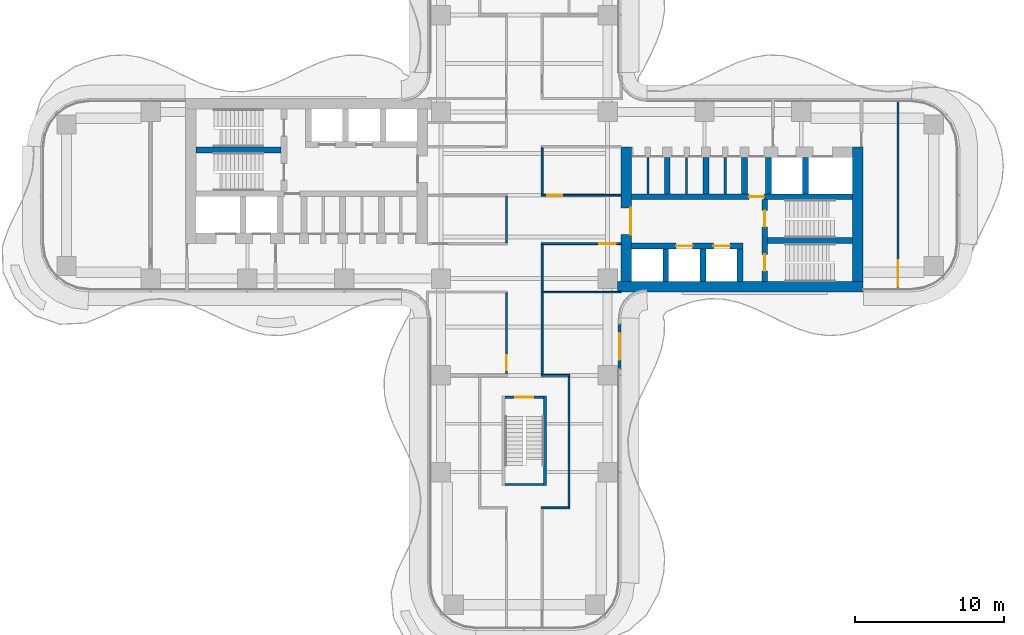
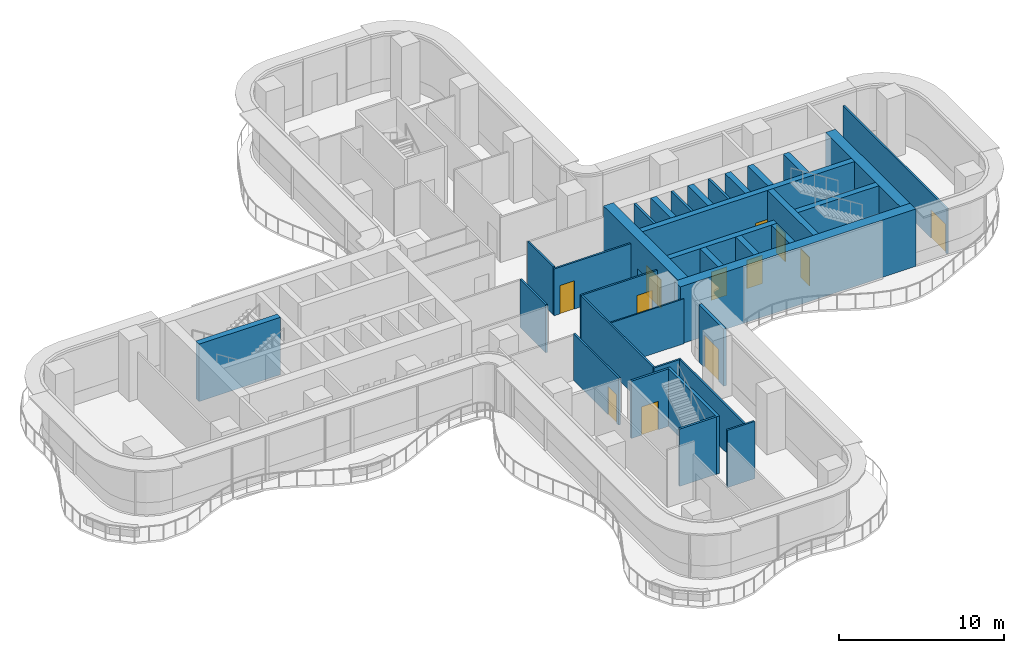
# One storey, part 19 of 23: 34 walls, 12 doors, 12 openings.
"""IFC4 building model written with IfcOpenShell, lengths in metres."""

from ifc_helpers import new_model, si_unit, direction, frame, frame_2d, origin, place, context, subcontext, project, spatial, rectangle, extrude, source, transform, mapped, material, layer, layer_set, type_object, element, fill, save


model = new_model("IFC4")

# Units and contexts
model_context = context("Model", 3, precision=1e-05, world=origin(), true_north=direction((0.0, 1.0)))
body_context = subcontext(model_context, "Body", "Model", "MODEL_VIEW")
ifc_project = project(units=[si_unit("LENGTHUNIT", "METRE"), si_unit("AREAUNIT", "SQUARE_METRE"), si_unit("VOLUMEUNIT", "CUBIC_METRE"), si_unit("PLANEANGLEUNIT", "RADIAN"), si_unit("MASSUNIT", "GRAM", prefix="KILO")], contexts=[model_context])

# Site, building, storey
site_placement = place(None, origin())
site = spatial("IfcSite", under=ifc_project, at=site_placement, CompositionType="ELEMENT")
building_placement = place(site_placement, origin())
building = spatial("IfcBuilding", under=site, at=building_placement, Name="Trellis Farm Tower", CompositionType="ELEMENT")
storey_placement = place(building_placement, frame((0.0, 0.0, 111.0)))
storey = spatial("IfcBuildingStorey", under=building, at=storey_placement, Name="L23", CompositionType="ELEMENT", Elevation=111.0)

# Wall, opening, door
ifc_material_1 = material(Name="Concrete C70/85", Category="concrete")
ifc_layer_1 = layer(ifc_material_1, 0.699951171875)
ifc_layer_set_1 = layer_set([ifc_layer_1], Name="CORE OUTER WALL 700 CONCRETE C70/85")
wall_type_1 = type_object("IfcWallType", Name="CORE OUTER WALL 700 CONCRETE C70/85", PredefinedType="SHEAR", material=ifc_layer_set_1)
shared_shape_1 = source(origin(), body_context, "Body", "SweptSolid", [
    extrude(rectangle(XDim=9.050048828125, YDim=0.699951171875, at=frame_2d((4.52490234375, 0.0))), origin(), (0.0, 0.0, 1.0), 4.25),
])
wall_1_placement = place(storey_placement, frame((6.85009765625, -5.800048828125, 0.0), z_axis=(0.0, 0.0, 1.0), x_axis=(0.0, 1.0, 0.0)))
wall_1 = element("IfcWall", 1, at=wall_1_placement, inside=storey, type_object=wall_type_1, Name="Core wall", PredefinedType="SHEAR", context=body_context, shape_type="MappedRepresentation", body=[
    mapped(shared_shape_1, transform((0.0, 0.0, 0.0))),
])
shared_shape_2 = source(origin(), body_context, "Body", "SweptSolid", [
    extrude(rectangle(XDim=1.800048828125, YDim=2.10009765625, at=frame_2d((0.89990234375, 1.050048828125))), frame((0.0, 0.360107421875, 0.0), z_axis=(0.0, -1.0, 0.0), x_axis=(1.0, 0.0, 0.0)), (0.0, 0.0, 1.0), 0.72021484375),
])
opening_1_placement = place(wall_1_placement, frame((3.14990234375, 0.0, 0.0)))
opening_1 = element("IfcOpeningElement", 2, at=opening_1_placement, cuts=wall_1, Name="Opening DC1", PredefinedType="OPENING", context=body_context, shape_type="MappedRepresentation", body=[
    mapped(shared_shape_2, transform((0.0, 0.0, 0.0))),
])
ifc_material_2 = material(Name="Steel", Category="steel")
door_type_1 = type_object("IfcDoorType", Name="CORE FIRE DOOR DOUBLE 1800 X 2100", OperationType="DOUBLE_DOOR_SINGLE_SWING", PredefinedType="DOOR", material=ifc_material_2)
shared_shape_3 = source(origin(), body_context, "Body", "SweptSolid", [
    extrude(rectangle(XDim=1.800048828125, YDim=2.10009765625, at=frame_2d((0.89990234375, 1.050048828125))), frame((0.0, -0.27490234375, 0.0), z_axis=(0.0, -1.0, 0.0), x_axis=(1.0, 0.0, 0.0)), (0.0, 0.0, 1.0), 0.050048828125),
])
door_1_placement = place(opening_1_placement, origin())
door_1 = element("IfcDoor", 3, at=door_1_placement, inside=storey, type_object=door_type_1, Name="Core door", OperationType="DOUBLE_DOOR_SINGLE_SWING", OverallHeight=2.10009765625, OverallWidth=1.800048828125, PredefinedType="DOOR", context=body_context, shape_type="MappedRepresentation", body=[
    mapped(shared_shape_3, transform((0.0, 0.0, 0.0))),
])
fill(opening_1, door_1)

# Walls
wall_2_placement = place(storey_placement, frame((22.39990234375, -5.800048828125, 0.0), z_axis=(0.0, 0.0, 1.0), x_axis=(0.0, 1.0, 0.0)))
element("IfcWall", 4, at=wall_2_placement, inside=storey, type_object=wall_type_1, Name="Core wall", PredefinedType="SHEAR", context=body_context, shape_type="MappedRepresentation", body=[
    mapped(shared_shape_1, transform((0.0, 0.0, 0.0))),
])
ifc_layer_2 = layer(ifc_material_1, 0.39990234375)
ifc_layer_set_2 = layer_set([ifc_layer_2], Name="CORE INNER WALL 400 CONCRETE C70/85")
wall_type_2 = type_object("IfcWallType", Name="CORE INNER WALL 400 CONCRETE C70/85", PredefinedType="SHEAR", material=ifc_layer_set_2)
shared_shape_4 = source(origin(), body_context, "Body", "SweptSolid", [
    extrude(rectangle(XDim=2.199951171875, YDim=0.39990234375, at=frame_2d((1.10009765625, 0.0))), origin(), (0.0, 0.0, 1.0), 4.25),
])
for number, where, z_axis, x_axis, name in (
    (5, (9.5, -5.800048828125, 0.0), (0.0, 0.0, 1.0), (0.0, 1.0, 0.0), "Core wall"),
    (6, (12.0, -5.800048828125, 0.0), (0.0, 0.0, 1.0), (0.0, 1.0, 0.0), "Core wall"),
    (7, (14.5, -5.800048828125, 0.0), (0.0, 0.0, 1.0), (0.0, 1.0, 0.0), "Core wall"),
):
    element("IfcWall", number, at=place(storey_placement, frame(where, z_axis=z_axis, x_axis=x_axis)), inside=storey, type_object=wall_type_2, Name=name, PredefinedType="SHEAR", context=body_context, shape_type="MappedRepresentation", body=[
        mapped(shared_shape_4, transform((0.0, 0.0, 0.0))),
    ])
shared_shape_5 = source(origin(), body_context, "Body", "SweptSolid", [
    extrude(rectangle(XDim=2.449951171875, YDim=0.39990234375, at=frame_2d((1.22509765625, 0.0))), origin(), (0.0, 0.0, 1.0), 4.25),
])
for number, where, z_axis, x_axis, name in (
    (8, (9.60009765625, 0.10009765625, 0.0), (0.0, 0.0, 1.0), (0.0, 1.0, 0.0), "Core wall"),
    (9, (12.199951171875, 0.10009765625, 0.0), (0.0, 0.0, 1.0), (0.0, 1.0, 0.0), "Core wall"),
    (10, (14.800048828125, 0.10009765625, 0.0), (0.0, 0.0, 1.0), (0.0, 1.0, 0.0), "Core wall"),
    (11, (16.39990234375, 0.10009765625, 0.0), (0.0, 0.0, 1.0), (0.0, 1.0, 0.0), "Core wall"),
    (12, (18.89990234375, 0.10009765625, 0.0), (0.0, 0.0, 1.0), (0.0, 1.0, 0.0), "Core wall"),
):
    element("IfcWall", number, at=place(storey_placement, frame(where, z_axis=z_axis, x_axis=x_axis)), inside=storey, type_object=wall_type_2, Name=name, PredefinedType="SHEAR", context=body_context, shape_type="MappedRepresentation", body=[
        mapped(shared_shape_5, transform((0.0, 0.0, 0.0))),
    ])

# Wall, openings, doors
shared_shape_6 = source(origin(), body_context, "Body", "SweptSolid", [
    extrude(rectangle(XDim=7.5, YDim=0.39990234375, at=frame_2d((3.75, 0.0))), origin(), (0.0, 0.0, 1.0), 4.25),
])
wall_3_placement = place(storey_placement, frame((7.199951171875, -3.39990234375, 0.0), z_axis=(0.0, 0.0, 1.0), x_axis=(1.0, 0.0, 0.0)))
wall_3 = element("IfcWall", 13, at=wall_3_placement, inside=storey, type_object=wall_type_2, Name="Core wall", PredefinedType="SHEAR", context=body_context, shape_type="MappedRepresentation", body=[
    mapped(shared_shape_6, transform((0.0, 0.0, 0.0))),
])
shared_shape_7 = source(origin(), body_context, "Body", "SweptSolid", [
    extrude(rectangle(XDim=1.10009765625, YDim=2.10009765625, at=frame_2d((0.550048828125, 1.050048828125))), frame((0.0, 0.2099609375, 0.0), z_axis=(0.0, -1.0, 0.0), x_axis=(1.0, 0.0, 0.0)), (0.0, 0.0, 1.0), 0.419921875),
])
opening_2_placement = place(wall_3_placement, frame((3.0, 0.0, 0.0)))
opening_2 = element("IfcOpeningElement", 14, at=opening_2_placement, cuts=wall_3, Name="Opening LD2", PredefinedType="OPENING", context=body_context, shape_type="MappedRepresentation", body=[
    mapped(shared_shape_7, transform((0.0, 0.0, 0.0))),
])
opening_3_placement = place(wall_3_placement, frame((5.5, 0.0, 0.0)))
opening_3 = element("IfcOpeningElement", 15, at=opening_3_placement, cuts=wall_3, Name="Opening LD3", PredefinedType="OPENING", context=body_context, shape_type="MappedRepresentation", body=[
    mapped(shared_shape_7, transform((0.0, 0.0, 0.0))),
])
ifc_material_3 = material(Name="Stainless steel", Category="steel")
door_type_2 = type_object("IfcDoorType", Name="LIFT LANDING DOOR 1100 X 2100", OperationType="DOUBLE_DOOR_SLIDING", PredefinedType="DOOR", material=ifc_material_3)
shared_shape_8 = source(origin(), body_context, "Body", "SweptSolid", [
    extrude(rectangle(XDim=1.10009765625, YDim=2.10009765625, at=frame_2d((0.550048828125, 1.050048828125))), frame((0.0, 0.02490234375, 0.0), z_axis=(0.0, -1.0, 0.0), x_axis=(1.0, 0.0, 0.0)), (0.0, 0.0, 1.0), 0.050048828125),
])
door_2_placement = place(opening_2_placement, origin())
door_2 = element("IfcDoor", 16, at=door_2_placement, inside=storey, type_object=door_type_2, Name="Lift landing door", OperationType="DOUBLE_DOOR_SLIDING", OverallHeight=2.10009765625, OverallWidth=1.10009765625, PredefinedType="DOOR", context=body_context, shape_type="MappedRepresentation", body=[
    mapped(shared_shape_8, transform((0.0, 0.0, 0.0))),
])
fill(opening_2, door_2)
door_3_placement = place(opening_3_placement, origin())
door_3 = element("IfcDoor", 17, at=door_3_placement, inside=storey, type_object=door_type_2, Name="Lift landing door", OperationType="DOUBLE_DOOR_SLIDING", OverallHeight=2.10009765625, OverallWidth=1.10009765625, PredefinedType="DOOR", context=body_context, shape_type="MappedRepresentation", body=[
    mapped(shared_shape_8, transform((0.0, 0.0, 0.0))),
])
fill(opening_3, door_3)

# Wall, opening, door
shared_shape_9 = source(origin(), body_context, "Body", "SweptSolid", [
    extrude(rectangle(XDim=14.85009765625, YDim=0.39990234375, at=frame_2d((7.425048828125, 0.0))), origin(), (0.0, 0.0, 1.0), 4.25),
])
wall_4_placement = place(storey_placement, frame((7.199951171875, -0.10009765625, 0.0), z_axis=(0.0, 0.0, 1.0), x_axis=(1.0, 0.0, 0.0)))
wall_4 = element("IfcWall", 18, at=wall_4_placement, inside=storey, type_object=wall_type_2, Name="Core wall", PredefinedType="SHEAR", context=body_context, shape_type="MappedRepresentation", body=[
    mapped(shared_shape_9, transform((0.0, 0.0, 0.0))),
])
shared_shape_10 = source(origin(), body_context, "Body", "SweptSolid", [
    extrude(rectangle(XDim=1.0, YDim=2.10009765625, at=frame_2d((0.5, 1.050048828125))), frame((0.0, 0.2099609375, 0.0), z_axis=(0.0, -1.0, 0.0), x_axis=(1.0, 0.0, 0.0)), (0.0, 0.0, 1.0), 0.419921875),
])
opening_4_placement = place(wall_4_placement, frame((7.89990234375, 0.0, 0.0)))
opening_4 = element("IfcOpeningElement", 19, at=opening_4_placement, cuts=wall_4, Name="Opening DC5", PredefinedType="OPENING", context=body_context, shape_type="MappedRepresentation", body=[
    mapped(shared_shape_10, transform((0.0, 0.0, 0.0))),
])
door_type_3 = type_object("IfcDoorType", Name="CORE FIRE DOOR 1000 X 2100", OperationType="NOTDEFINED", PredefinedType="DOOR", material=ifc_material_2)
shared_shape_11 = source(origin(), body_context, "Body", "SweptSolid", [
    extrude(rectangle(XDim=1.0, YDim=2.10009765625, at=frame_2d((0.5, 1.050048828125))), frame((0.0, 0.02490234375, 0.0), z_axis=(0.0, -1.0, 0.0), x_axis=(1.0, 0.0, 0.0)), (0.0, 0.0, 1.0), 0.050048828125),
])
door_4_placement = place(opening_4_placement, origin())
door_4 = element("IfcDoor", 20, at=door_4_placement, inside=storey, type_object=door_type_3, Name="Core door", OperationType="SINGLE_SWING_RIGHT", OverallHeight=2.10009765625, OverallWidth=1.0, PredefinedType="DOOR", context=body_context, shape_type="MappedRepresentation", body=[
    mapped(shared_shape_11, transform((0.0, 0.0, 0.0))),
])
fill(opening_4, door_4)

# Wall, openings, doors
shared_shape_12 = source(origin(), body_context, "Body", "SweptSolid", [
    extrude(rectangle(XDim=5.5, YDim=0.39990234375, at=frame_2d((2.75, 0.0))), origin(), (0.0, 0.0, 1.0), 4.25),
])
wall_5_placement = place(storey_placement, frame((16.14990234375, -5.800048828125, 0.0), z_axis=(0.0, 0.0, 1.0), x_axis=(0.0, 1.0, 0.0)))
wall_5 = element("IfcWall", 21, at=wall_5_placement, inside=storey, type_object=wall_type_2, Name="Core wall", PredefinedType="SHEAR", context=body_context, shape_type="MappedRepresentation", body=[
    mapped(shared_shape_12, transform((0.0, 0.0, 0.0))),
])
opening_5_placement = place(wall_5_placement, frame((0.72509765625, 0.0, 0.0)))
opening_5 = element("IfcOpeningElement", 22, at=opening_5_placement, cuts=wall_5, Name="Opening DC2", PredefinedType="OPENING", context=body_context, shape_type="MappedRepresentation", body=[
    mapped(shared_shape_7, transform((0.0, 0.0, 0.0))),
])
opening_6_placement = place(wall_5_placement, frame((3.675048828125, 0.0, 0.0)))
opening_6 = element("IfcOpeningElement", 23, at=opening_6_placement, cuts=wall_5, Name="Opening DC3", PredefinedType="OPENING", context=body_context, shape_type="MappedRepresentation", body=[
    mapped(shared_shape_7, transform((0.0, 0.0, 0.0))),
])
door_type_4 = type_object("IfcDoorType", Name="CORE FIRE DOOR 1100 X 2100", OperationType="NOTDEFINED", PredefinedType="DOOR", material=ifc_material_2)
door_5_placement = place(opening_5_placement, origin())
door_5 = element("IfcDoor", 24, at=door_5_placement, inside=storey, type_object=door_type_4, Name="Core door", OperationType="SINGLE_SWING_RIGHT", OverallHeight=2.10009765625, OverallWidth=1.10009765625, PredefinedType="DOOR", context=body_context, shape_type="MappedRepresentation", body=[
    mapped(shared_shape_8, transform((0.0, 0.0, 0.0))),
])
fill(opening_5, door_5)
door_6_placement = place(opening_6_placement, origin())
door_6 = element("IfcDoor", 25, at=door_6_placement, inside=storey, type_object=door_type_4, Name="Core door", OperationType="SINGLE_SWING_LEFT", OverallHeight=2.10009765625, OverallWidth=1.10009765625, PredefinedType="DOOR", context=body_context, shape_type="MappedRepresentation", body=[
    mapped(shared_shape_8, transform((0.0, 0.0, 0.0))),
])
fill(opening_6, door_6)

# Walls
shared_shape_13 = source(origin(), body_context, "Body", "SweptSolid", [
    extrude(rectangle(XDim=5.699951171875, YDim=0.39990234375, at=frame_2d((2.85009765625, 0.0))), origin(), (0.0, 0.0, 1.0), 4.25),
])
for number, where, z_axis, x_axis, name in (
    (26, (16.35009765625, -3.050048828125, 0.0), (0.0, 0.0, 1.0), (1.0, 0.0, 0.0), "Core wall"),
    (27, (-16.35009765625, 3.050048828125, 0.0), (0.0, 0.0, 1.0), (-1.0, 0.0, 0.0), "Core wall"),
):
    element("IfcWall", number, at=place(storey_placement, frame(where, z_axis=z_axis, x_axis=x_axis)), inside=storey, type_object=wall_type_2, Name=name, PredefinedType="SHEAR", context=body_context, shape_type="MappedRepresentation", body=[
        mapped(shared_shape_13, transform((0.0, 0.0, 0.0))),
    ])
ifc_material_4 = material(Name="Masonry blockwork", Category="masonry")
ifc_layer_3 = layer(ifc_material_4, 0.14990234375)
ifc_layer_set_3 = layer_set([ifc_layer_3], Name="CORE PARTITION 150 BLOCKWORK")
wall_type_3 = type_object("IfcWallType", Name="CORE PARTITION 150 BLOCKWORK", PredefinedType="PARTITIONING", material=ifc_layer_set_3)
shared_shape_14 = source(origin(), body_context, "Body", "SweptSolid", [
    extrude(rectangle(XDim=2.449951171875, YDim=0.14990234375, at=frame_2d((1.22509765625, 0.0))), origin(), (0.0, 0.0, 1.0), 4.25),
])
for number, where, z_axis, x_axis, name in (
    (28, (8.300048828125, 0.10009765625, 0.0), (0.0, 0.0, 1.0), (0.0, 1.0, 0.0), "Core room partition"),
    (29, (10.89990234375, 0.10009765625, 0.0), (0.0, 0.0, 1.0), (0.0, 1.0, 0.0), "Core room partition"),
    (30, (13.5, 0.10009765625, 0.0), (0.0, 0.0, 1.0), (0.0, 1.0, 0.0), "Core room partition"),
):
    element("IfcWall", number, at=place(storey_placement, frame(where, z_axis=z_axis, x_axis=x_axis)), inside=storey, type_object=wall_type_3, Name=name, PredefinedType="PARTITIONING", context=body_context, shape_type="MappedRepresentation", body=[
        mapped(shared_shape_14, transform((0.0, 0.0, 0.0))),
    ])
shared_shape_15 = source(origin(), body_context, "Body", "SweptSolid", [
    extrude(rectangle(XDim=16.5, YDim=0.699951171875, at=frame_2d((8.25, 0.0))), origin(), (0.0, 0.0, 1.0), 4.25),
])
wall_6_placement = place(storey_placement, frame((6.25, -6.14990234375, 0.0), z_axis=(0.0, 0.0, 1.0), x_axis=(1.0, 0.0, 0.0)))
element("IfcWall", 31, at=wall_6_placement, inside=storey, type_object=wall_type_1, Name="Core wall", PredefinedType="SHEAR", context=body_context, shape_type="MappedRepresentation", body=[
    mapped(shared_shape_15, transform((0.0, 0.0, 0.0))),
])
ifc_layer_4 = layer(ifc_material_1, 0.199951171875)
ifc_layer_set_4 = layer_set([ifc_layer_4], Name="CORE STAIR ENCLOSURE WALL 200 CONCRETE C70/85")
wall_type_4 = type_object("IfcWallType", Name="CORE STAIR ENCLOSURE WALL 200 CONCRETE C70/85", PredefinedType="SHEAR", material=ifc_layer_set_4)
shared_shape_16 = source(origin(), body_context, "Body", "SweptSolid", [
    extrude(rectangle(XDim=6.0, YDim=0.199951171875, at=frame_2d((3.0, 0.0))), origin(), (0.0, 0.0, 1.0), 4.25),
])
wall_7_placement = place(storey_placement, frame((1.39990234375, -13.5, 0.0), z_axis=(0.0, 0.0, 1.0), x_axis=(0.0, -1.0, 0.0)))
element("IfcWall", 32, at=wall_7_placement, inside=storey, type_object=wall_type_4, Name="Stair enclosure wall", PredefinedType="SHEAR", context=body_context, shape_type="MappedRepresentation", body=[
    mapped(shared_shape_16, transform((0.0, 0.0, 0.0))),
])

# Wall, opening, door
ifc_layer_5 = layer(ifc_material_1, 0.14990234375)
ifc_layer_set_5 = layer_set([ifc_layer_5], Name="CORE STAIR ENCLOSURE WALL 150 CONCRETE C70/85")
wall_type_5 = type_object("IfcWallType", Name="CORE STAIR ENCLOSURE WALL 150 CONCRETE C70/85", PredefinedType="SHEAR", material=ifc_layer_set_5)
shared_shape_17 = source(origin(), body_context, "Body", "SweptSolid", [
    extrude(rectangle(XDim=2.60009765625, YDim=0.14990234375, at=frame_2d((1.300048828125, 0.0))), origin(), (0.0, 0.0, 1.0), 4.25),
])
wall_8_placement = place(storey_placement, frame((1.300048828125, -13.574951171875, 0.0), z_axis=(0.0, 0.0, 1.0), x_axis=(-1.0, 0.0, 0.0)))
wall_8 = element("IfcWall", 33, at=wall_8_placement, inside=storey, type_object=wall_type_5, Name="Stair enclosure wall", PredefinedType="SHEAR", context=body_context, shape_type="MappedRepresentation", body=[
    mapped(shared_shape_17, transform((0.0, 0.0, 0.0))),
])
shared_shape_18 = source(origin(), body_context, "Body", "SweptSolid", [
    extrude(rectangle(XDim=1.199951171875, YDim=2.10009765625, at=frame_2d((0.60009765625, 1.050048828125))), frame((0.0, 0.0849609375, 0.0), z_axis=(0.0, -1.0, 0.0), x_axis=(1.0, 0.0, 0.0)), (0.0, 0.0, 1.0), 0.169921875),
])
opening_7_placement = place(wall_8_placement, frame((0.699951171875, 0.0, 0.0)))
opening_7 = element("IfcOpeningElement", 34, at=opening_7_placement, cuts=wall_8, Name="Opening DC174", PredefinedType="OPENING", context=body_context, shape_type="MappedRepresentation", body=[
    mapped(shared_shape_18, transform((0.0, 0.0, 0.0))),
])
door_type_5 = type_object("IfcDoorType", Name="CORE FIRE DOOR 1200 X 2100", OperationType="NOTDEFINED", PredefinedType="DOOR", material=ifc_material_2)
shared_shape_19 = source(origin(), body_context, "Body", "SweptSolid", [
    extrude(rectangle(XDim=1.199951171875, YDim=2.10009765625, at=frame_2d((0.60009765625, 1.050048828125))), frame((0.0, 0.02490234375, 0.0), z_axis=(0.0, -1.0, 0.0), x_axis=(1.0, 0.0, 0.0)), (0.0, 0.0, 1.0), 0.050048828125),
])
door_7_placement = place(opening_7_placement, origin())
door_7 = element("IfcDoor", 35, at=door_7_placement, inside=storey, type_object=door_type_5, Name="Core door", OperationType="SINGLE_SWING_RIGHT", OverallHeight=2.10009765625, OverallWidth=1.199951171875, PredefinedType="DOOR", context=body_context, shape_type="MappedRepresentation", body=[
    mapped(shared_shape_19, transform((0.0, 0.0, 0.0))),
])
fill(opening_7, door_7)

# Wall
wall_9_placement = place(storey_placement, frame((1.300048828125, -19.425048828125, 0.0), z_axis=(0.0, 0.0, 1.0), x_axis=(-1.0, 0.0, 0.0)))
element("IfcWall", 36, at=wall_9_placement, inside=storey, type_object=wall_type_5, Name="Stair enclosure wall", PredefinedType="SHEAR", context=body_context, shape_type="MappedRepresentation", body=[
    mapped(shared_shape_17, transform((0.0, 0.0, 0.0))),
])

# Wall, opening, door
ifc_material_5 = material(Name="Sandstone faced insulated wall", Category="masonry")
ifc_layer_6 = layer(ifc_material_5, 0.199951171875)
ifc_layer_set_6 = layer_set([ifc_layer_6], Name="EXTERNAL INFILL WALL 200")
wall_type_6 = type_object("IfcWallType", Name="EXTERNAL INFILL WALL 200", PredefinedType="SOLIDWALL", material=ifc_layer_set_6)
shared_shape_20 = source(origin(), body_context, "Body", "SweptSolid", [
    extrude(rectangle(XDim=3.0, YDim=0.199951171875, at=frame_2d((1.5, 0.0))), origin(), (0.0, 0.0, 1.0), 4.25),
])
wall_10_placement = place(storey_placement, frame((6.39990234375, -11.665771484375, 0.0), z_axis=(0.0, 0.0, 1.0), x_axis=(0.0, 1.0, 0.0)))
wall_10 = element("IfcWall", 37, at=wall_10_placement, inside=storey, type_object=wall_type_6, Name="EW1 01", PredefinedType="SOLIDWALL", context=body_context, shape_type="MappedRepresentation", body=[
    mapped(shared_shape_20, transform((0.0, 0.0, 0.0))),
])
shared_shape_21 = source(origin(), body_context, "Body", "SweptSolid", [
    extrude(rectangle(XDim=1.800048828125, YDim=2.39990234375, at=frame_2d((0.89990234375, 1.199951171875))), frame((0.0, 0.110107421875, 0.0), z_axis=(0.0, -1.0, 0.0), x_axis=(1.0, 0.0, 0.0)), (0.0, 0.0, 1.0), 0.22021484375),
])
opening_8_placement = place(wall_10_placement, frame((0.60009765625, 0.0, 0.0)))
opening_8 = element("IfcOpeningElement", 38, at=opening_8_placement, cuts=wall_10, Name="Opening ED1", PredefinedType="OPENING", context=body_context, shape_type="MappedRepresentation", body=[
    mapped(shared_shape_21, transform((0.0, 0.0, 0.0))),
])
ifc_material_6 = material(Name="Aluminium framed glazed door", Category="aluminium")
door_type_6 = type_object("IfcDoorType", Name="BALCONY DOOR 1800x2400", OperationType="DOUBLE_DOOR_SINGLE_SWING", PredefinedType="DOOR", material=ifc_material_6)
shared_shape_22 = source(origin(), body_context, "Body", "SweptSolid", [
    extrude(rectangle(XDim=1.800048828125, YDim=2.39990234375, at=frame_2d((0.89990234375, 1.199951171875))), frame((0.0, 0.02490234375, 0.0), z_axis=(0.0, -1.0, 0.0), x_axis=(1.0, 0.0, 0.0)), (0.0, 0.0, 1.0), 0.050048828125),
])
door_8_placement = place(opening_8_placement, origin())
door_8 = element("IfcDoor", 39, at=door_8_placement, inside=storey, type_object=door_type_6, Name="Balcony door", OperationType="DOUBLE_DOOR_SINGLE_SWING", OverallHeight=2.39990234375, OverallWidth=1.800048828125, PredefinedType="DOOR", context=body_context, shape_type="MappedRepresentation", body=[
    mapped(shared_shape_22, transform((0.0, 0.0, 0.0))),
])
fill(opening_8, door_8)

# Walls
ifc_material_7 = material(Name="Plasterboard on steel studs, mineral wool", Category="steel")
ifc_layer_7 = layer(ifc_material_7, 0.125)
ifc_layer_set_7 = layer_set([ifc_layer_7], Name="PARTITION 125 STUD EI 60")
wall_type_7 = type_object("IfcWallType", Name="PARTITION 125 STUD EI 60", PredefinedType="PARTITIONING", material=ifc_layer_set_7)
shared_shape_23 = source(origin(), body_context, "Body", "SweptSolid", [
    extrude(rectangle(XDim=3.125, YDim=0.125, at=frame_2d((1.5625, 0.0))), origin(), (0.0, 0.0, 1.0), 3.54638671875),
])
for number, where, z_axis, x_axis, name in (
    (40, (-1.199951171875, -0.0625, 0.0), (0.0, 0.0, 1.0), (0.0, -1.0, 0.0), "Partition PW1"),
    (41, (1.199951171875, 3.1875, 0.0), (0.0, 0.0, 1.0), (0.0, -1.0, 0.0), "Partition PW1"),
):
    element("IfcWall", number, at=place(storey_placement, frame(where, z_axis=z_axis, x_axis=x_axis)), inside=storey, type_object=wall_type_7, Name=name, PredefinedType="PARTITIONING", context=body_context, shape_type="MappedRepresentation", body=[
        mapped(shared_shape_23, transform((0.0, 0.0, 0.0))),
    ])

# Wall, opening, door
shared_shape_24 = source(origin(), body_context, "Body", "SweptSolid", [
    extrude(rectangle(XDim=5.47509765625, YDim=0.125, at=frame_2d((2.737548828125, 0.0))), origin(), (0.0, 0.0, 1.0), 3.4677734375),
])
wall_11_placement = place(storey_placement, frame((-1.199951171875, -6.5625, 0.0), z_axis=(0.0, 0.0, 1.0), x_axis=(0.0, -1.0, 0.0)))
wall_11 = element("IfcWall", 42, at=wall_11_placement, inside=storey, type_object=wall_type_7, Name="Partition PW1", PredefinedType="PARTITIONING", context=body_context, shape_type="MappedRepresentation", body=[
    mapped(shared_shape_24, transform((0.0, 0.0, 0.0))),
])
shared_shape_25 = source(origin(), body_context, "Body", "SweptSolid", [
    extrude(rectangle(XDim=1.0, YDim=2.10009765625, at=frame_2d((0.5, 1.050048828125))), frame((0.0, 0.072509765625, 0.0), z_axis=(0.0, -1.0, 0.0), x_axis=(1.0, 0.0, 0.0)), (0.0, 0.0, 1.0), 0.14501953125),
])
opening_9_placement = place(wall_11_placement, frame((4.1875, 0.0, 0.0)))
opening_9 = element("IfcOpeningElement", 43, at=opening_9_placement, cuts=wall_11, Name="Opening D301", PredefinedType="OPENING", context=body_context, shape_type="MappedRepresentation", body=[
    mapped(shared_shape_25, transform((0.0, 0.0, 0.0))),
])
ifc_material_8 = material(Name="Fire-rated timber door leaf in a hollow metal frame", Category="wood")
door_type_7 = type_object("IfcDoorType", Name="DOOR 1000x2100 FD60", OperationType="NOTDEFINED", PredefinedType="DOOR", material=ifc_material_8)
door_9_placement = place(opening_9_placement, origin())
door_9 = element("IfcDoor", 44, at=door_9_placement, inside=storey, type_object=door_type_7, Name="Door D301", OperationType="SINGLE_SWING_RIGHT", OverallHeight=2.10009765625, OverallWidth=1.0, PredefinedType="DOOR", context=body_context, shape_type="MappedRepresentation", body=[
    mapped(shared_shape_11, transform((0.0, 0.0, 0.0))),
])
fill(opening_9, door_9)

# Wall
shared_shape_26 = source(origin(), body_context, "Body", "SweptSolid", [
    extrude(rectangle(XDim=1.925048828125, YDim=0.125, at=frame_2d((0.96240234375, 0.0))), origin(), (0.0, 0.0, 1.0), 3.4677734375),
])
wall_12_placement = place(storey_placement, frame((1.137451171875, -12.10009765625, 0.0), z_axis=(0.0, 0.0, 1.0), x_axis=(1.0, 0.0, 0.0)))
element("IfcWall", 45, at=wall_12_placement, inside=storey, type_object=wall_type_7, Name="Partition PW1", PredefinedType="PARTITIONING", context=body_context, shape_type="MappedRepresentation", body=[
    mapped(shared_shape_26, transform((0.0, 0.0, 0.0))),
])

# Wall, opening, door
shared_shape_27 = source(origin(), body_context, "Body", "SweptSolid", [
    extrude(rectangle(XDim=5.362548828125, YDim=0.125, at=frame_2d((2.68115234375, 0.0))), origin(), (0.0, 0.0, 1.0), 3.4677734375),
])
wall_13_placement = place(storey_placement, frame((6.5, -3.25, 0.0), z_axis=(0.0, 0.0, 1.0), x_axis=(-1.0, 0.0, 0.0)))
wall_13 = element("IfcWall", 46, at=wall_13_placement, inside=storey, type_object=wall_type_7, Name="Partition PW1", PredefinedType="PARTITIONING", context=body_context, shape_type="MappedRepresentation", body=[
    mapped(shared_shape_27, transform((0.0, 0.0, 0.0))),
])
shared_shape_28 = source(origin(), body_context, "Body", "SweptSolid", [
    extrude(rectangle(XDim=1.10009765625, YDim=2.10009765625, at=frame_2d((0.550048828125, 1.050048828125))), frame((0.0, 0.072509765625, 0.0), z_axis=(0.0, -1.0, 0.0), x_axis=(1.0, 0.0, 0.0)), (0.0, 0.0, 1.0), 0.14501953125),
])
opening_10_placement = place(wall_13_placement, frame((0.35009765625, 0.0, 0.0)))
opening_10 = element("IfcOpeningElement", 47, at=opening_10_placement, cuts=wall_13, Name="Opening D501", PredefinedType="OPENING", context=body_context, shape_type="MappedRepresentation", body=[
    mapped(shared_shape_28, transform((0.0, 0.0, 0.0))),
])
door_type_8 = type_object("IfcDoorType", Name="DOOR 1100x2100 FD30S", OperationType="NOTDEFINED", PredefinedType="DOOR", material=ifc_material_8)
door_10_placement = place(opening_10_placement, origin())
door_10 = element("IfcDoor", 48, at=door_10_placement, inside=storey, type_object=door_type_8, Name="Door D501", OperationType="SINGLE_SWING_LEFT", OverallHeight=2.10009765625, OverallWidth=1.10009765625, PredefinedType="DOOR", context=body_context, shape_type="MappedRepresentation", body=[
    mapped(shared_shape_8, transform((0.0, 0.0, 0.0))),
])
fill(opening_10, door_10)

wall_14_placement = place(storey_placement, frame((6.5, 0.0, 0.0), z_axis=(0.0, 0.0, 1.0), x_axis=(-1.0, 0.0, 0.0)))
wall_14 = element("IfcWall", 49, at=wall_14_placement, inside=storey, type_object=wall_type_7, Name="Partition PW1", PredefinedType="PARTITIONING", context=body_context, shape_type="MappedRepresentation", body=[
    mapped(shared_shape_27, transform((0.0, 0.0, 0.0))),
])
opening_11_placement = place(wall_14_placement, frame((3.949951171875, 0.0, 0.0)))
opening_11 = element("IfcOpeningElement", 50, at=opening_11_placement, cuts=wall_14, Name="Opening D104", PredefinedType="OPENING", context=body_context, shape_type="MappedRepresentation", body=[
    mapped(shared_shape_25, transform((0.0, 0.0, 0.0))),
])
door_type_9 = type_object("IfcDoorType", Name="DOOR 1000x2100 FD30S", OperationType="NOTDEFINED", PredefinedType="DOOR", material=ifc_material_8)
door_11_placement = place(opening_11_placement, origin())
door_11 = element("IfcDoor", 51, at=door_11_placement, inside=storey, type_object=door_type_9, Name="Door D104", OperationType="SINGLE_SWING_RIGHT", OverallHeight=2.10009765625, OverallWidth=1.0, PredefinedType="DOOR", context=body_context, shape_type="MappedRepresentation", body=[
    mapped(shared_shape_11, transform((0.0, 0.0, 0.0))),
])
fill(opening_11, door_11)

# Walls
shared_shape_29 = source(origin(), body_context, "Body", "SweptSolid", [
    extrude(rectangle(XDim=8.72509765625, YDim=0.125, at=frame_2d((4.362548828125, 0.0))), origin(), (0.0, 0.0, 1.0), 3.4677734375),
])
wall_15_placement = place(storey_placement, frame((1.199951171875, -3.3125, 0.0), z_axis=(0.0, 0.0, 1.0), x_axis=(0.0, -1.0, 0.0)))
element("IfcWall", 52, at=wall_15_placement, inside=storey, type_object=wall_type_7, Name="Partition PW1", PredefinedType="PARTITIONING", context=body_context, shape_type="MappedRepresentation", body=[
    mapped(shared_shape_29, transform((0.0, 0.0, 0.0))),
])
shared_shape_30 = source(origin(), body_context, "Body", "SweptSolid", [
    extrude(rectangle(XDim=1.925048828125, YDim=0.125, at=frame_2d((0.96240234375, 0.0))), origin(), (0.0, 0.0, 1.0), 4.25),
])
wall_16_placement = place(storey_placement, frame((3.0625, -21.0, 0.0), z_axis=(0.0, 0.0, 1.0), x_axis=(-1.0, 0.0, 0.0)))
element("IfcWall", 53, at=wall_16_placement, inside=storey, type_object=wall_type_7, Name="Partition PW1", PredefinedType="PARTITIONING", context=body_context, shape_type="MappedRepresentation", body=[
    mapped(shared_shape_30, transform((0.0, 0.0, 0.0))),
])
ifc_material_9 = material(Name="Plasterboard on steel studs", Category="steel")
ifc_layer_8 = layer(ifc_material_9, 0.10009765625)
ifc_layer_set_8 = layer_set([ifc_layer_8], Name="PARTITION 100 STUD EI 30")
wall_type_8 = type_object("IfcWallType", Name="PARTITION 100 STUD EI 30", PredefinedType="PARTITIONING", material=ifc_layer_set_8)
shared_shape_31 = source(origin(), body_context, "Body", "SweptSolid", [
    extrude(rectangle(XDim=5.237548828125, YDim=0.10009765625, at=frame_2d((2.61865234375, 0.0))), origin(), (0.0, 0.0, 1.0), 3.330078125),
])
wall_17_placement = place(storey_placement, frame((1.262451171875, -6.5, 0.0), z_axis=(0.0, 0.0, 1.0), x_axis=(1.0, 0.0, 0.0)))
element("IfcWall", 54, at=wall_17_placement, inside=storey, type_object=wall_type_8, Name="Partition PW2", PredefinedType="PARTITIONING", context=body_context, shape_type="MappedRepresentation", body=[
    mapped(shared_shape_31, transform((0.0, 0.0, 0.0))),
])

# Wall, opening, door
shared_shape_32 = source(origin(), body_context, "Body", "SweptSolid", [
    extrude(rectangle(XDim=12.60009765625, YDim=0.125, at=frame_2d((6.300048828125, 0.0))), origin(), (0.0, 0.0, 1.0), 3.330078125),
])
wall_18_placement = place(storey_placement, frame((25.10009765625, 6.300048828125, 0.0), z_axis=(0.0, 0.0, 1.0), x_axis=(0.0, -1.0, 0.0)))
wall_18 = element("IfcWall", 55, at=wall_18_placement, inside=storey, type_object=wall_type_7, Name="Partition PW1", PredefinedType="PARTITIONING", context=body_context, shape_type="MappedRepresentation", body=[
    mapped(shared_shape_32, transform((0.0, 0.0, 0.0))),
])
shared_shape_33 = source(origin(), body_context, "Body", "SweptSolid", [
    extrude(rectangle(XDim=1.800048828125, YDim=2.10009765625, at=frame_2d((0.89990234375, 1.050048828125))), frame((0.0, 0.072509765625, 0.0), z_axis=(0.0, -1.0, 0.0), x_axis=(1.0, 0.0, 0.0)), (0.0, 0.0, 1.0), 0.14501953125),
])
opening_12_placement = place(wall_18_placement, frame((10.64990234375, 0.0, 0.0)))
opening_12 = element("IfcOpeningElement", 56, at=opening_12_placement, cuts=wall_18, Name="Opening D202", PredefinedType="OPENING", context=body_context, shape_type="MappedRepresentation", body=[
    mapped(shared_shape_33, transform((0.0, 0.0, 0.0))),
])
door_type_10 = type_object("IfcDoorType", Name="DOOR PAIR 1800x2100 FD30S", OperationType="NOTDEFINED", PredefinedType="DOOR", material=ifc_material_8)
shared_shape_34 = source(origin(), body_context, "Body", "SweptSolid", [
    extrude(rectangle(XDim=1.800048828125, YDim=2.10009765625, at=frame_2d((0.89990234375, 1.050048828125))), frame((0.0, 0.02490234375, 0.0), z_axis=(0.0, -1.0, 0.0), x_axis=(1.0, 0.0, 0.0)), (0.0, 0.0, 1.0), 0.050048828125),
])
door_12_placement = place(opening_12_placement, origin())
door_12 = element("IfcDoor", 57, at=door_12_placement, inside=storey, type_object=door_type_10, Name="Door D202", OperationType="DOUBLE_DOOR_SINGLE_SWING", OverallHeight=2.10009765625, OverallWidth=1.800048828125, PredefinedType="DOOR", context=body_context, shape_type="MappedRepresentation", body=[
    mapped(shared_shape_34, transform((0.0, 0.0, 0.0))),
])
fill(opening_12, door_12)

# Wall
shared_shape_35 = source(origin(), body_context, "Body", "SweptSolid", [
    extrude(rectangle(XDim=8.77490234375, YDim=0.125, at=frame_2d((4.387451171875, 0.0))), origin(), (0.0, 0.0, 1.0), 3.4677734375),
])
wall_19_placement = place(storey_placement, frame((3.0, -12.16259765625, 0.0), z_axis=(0.0, 0.0, 1.0), x_axis=(0.0, -1.0, 0.0)))
element("IfcWall", 58, at=wall_19_placement, inside=storey, type_object=wall_type_7, Name="Partition PW1", PredefinedType="PARTITIONING", context=body_context, shape_type="MappedRepresentation", body=[
    mapped(shared_shape_35, transform((0.0, 0.0, 0.0))),
])

save(model, "model.ifc")
